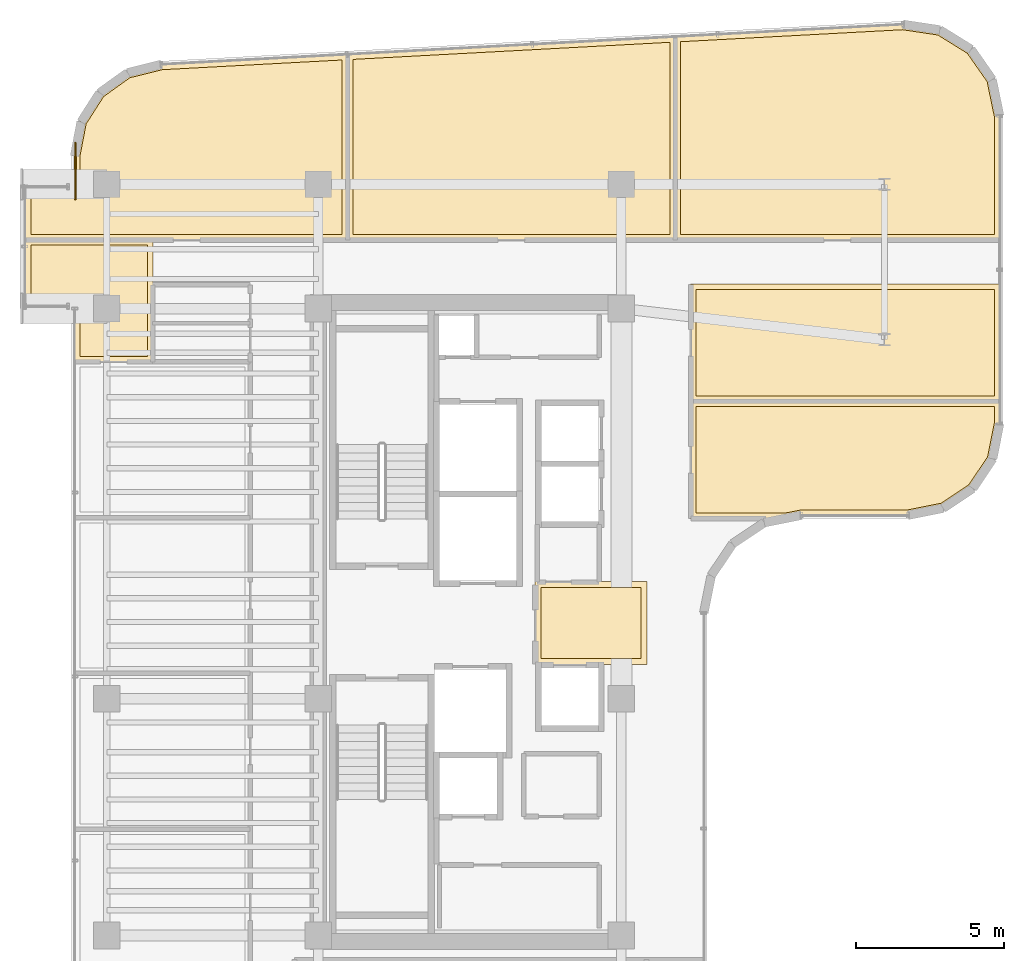
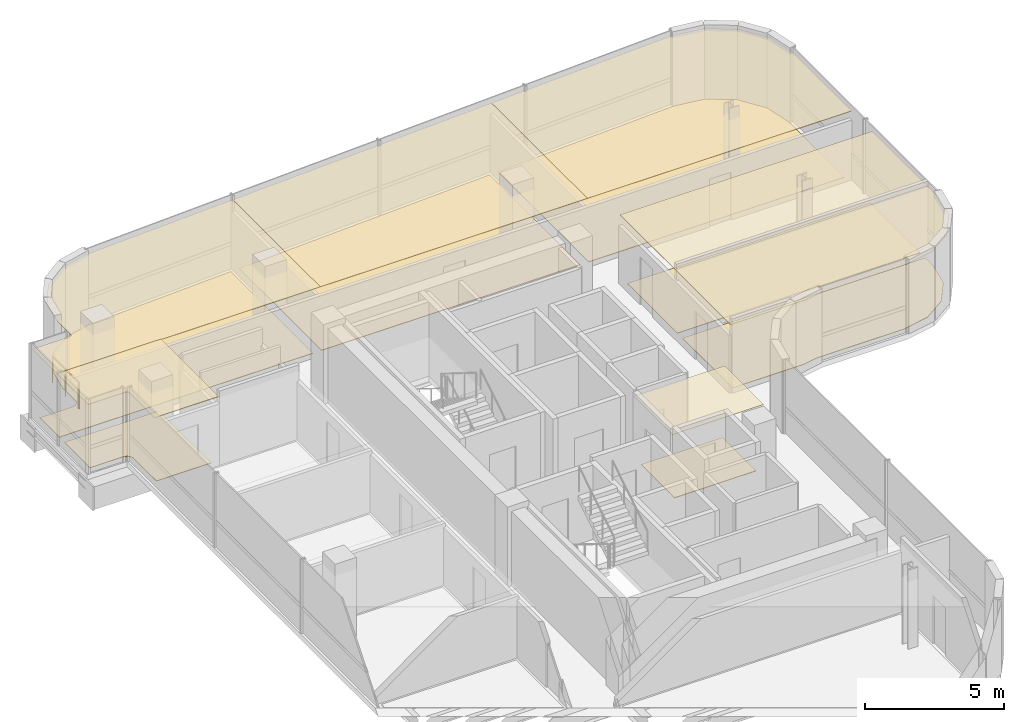
# One storey, part 21 of 21: 14 coverings, 1 railing.
"""IFC4 building model written with IfcOpenShell, lengths in metres."""

from ifc_helpers import new_model, si_unit, direction, frame, origin, origin_2d, place, context, subcontext, project, spatial, polyline, circle, outline, extrude, material, layer, layer_set, type_object, element, save


model = new_model("IFC4")

# Units and contexts
model_context = context("Model", 3, precision=1e-05, world=origin(), true_north=direction((0.0, 1.0)))
body_context = subcontext(model_context, "Body", "Model", "MODEL_VIEW")
ifc_project = project(units=[si_unit("LENGTHUNIT", "METRE"), si_unit("AREAUNIT", "SQUARE_METRE"), si_unit("VOLUMEUNIT", "CUBIC_METRE"), si_unit("PLANEANGLEUNIT", "RADIAN"), si_unit("MASSUNIT", "GRAM", prefix="KILO")], contexts=[model_context])

# Site, building, storey
site_placement = place(None, origin())
site = spatial("IfcSite", under=ifc_project, at=site_placement, CompositionType="ELEMENT")
building_placement = place(site_placement, origin())
building = spatial("IfcBuilding", under=site, at=building_placement, Name="Valdorenza Pilgrim Sanctuary Tower", CompositionType="ELEMENT")
storey_placement = place(building_placement, frame((0.0, 0.0, 219.5)))
storey = spatial("IfcBuildingStorey", under=building, at=storey_placement, Name="L56", CompositionType="ELEMENT", Elevation=219.5)

# Coverings
ifc_material_1 = material(Name="Micro-perforated acoustic mineral ceiling tile", Category="gypsum")
ifc_layer_1 = layer(ifc_material_1, 0.02490234375, Name="Micro-perforated acoustic mineral ceiling tile")
ifc_layer_set_1 = layer_set([ifc_layer_1], Name="Micro-perforated acoustic mineral ceiling tile")
covering_type_1 = type_object("IfcCoveringType", Name="COV-CLG-ACU", PredefinedType="CEILING", material=ifc_layer_set_1)
covering_1_placement = place(storey_placement, frame((0.0, 0.0, 2.9599609375)))
element("IfcCovering", 1, at=covering_1_placement, inside=storey, type_object=covering_type_1, Name="L56 Core A Passenger Lift Lobby Acoustic Ceiling", PredefinedType="CEILING", context=body_context, shape_type="SweptSolid", body=[
    extrude(outline(polyline([(-15.31494140625, 1.35009765625), (-15.31494140625, 1.3515625), (-15.314697265625, 1.352783203125), (-15.314453125, 1.3544921875), (-15.31396484375, 1.355712890625), (-15.313232421875, 1.357177734375), (-15.3125, 1.3583984375), (-15.3115234375, 1.359619140625), (-15.310546875, 1.360595703125), (-15.3095703125, 1.361572265625), (-15.308349609375, 1.362548828125), (-15.30712890625, 1.36328125), (-15.3056640625, 1.364013671875), (-15.304443359375, 1.364501953125), (-15.302978515625, 1.36474609375), (-15.301513671875, 1.364990234375), (-15.300048828125, 1.364990234375), (-11.550048828125, 1.364990234375), (-11.548583984375, 1.364990234375), (-11.547119140625, 1.36474609375), (-11.545654296875, 1.364501953125), (-11.544189453125, 1.364013671875), (-11.54296875, 1.36328125), (-11.541748046875, 1.362548828125), (-11.54052734375, 1.361572265625), (-11.539306640625, 1.360595703125), (-11.538330078125, 1.359619140625), (-11.53759765625, 1.3583984375), (-11.536865234375, 1.357177734375), (-11.5361328125, 1.355712890625), (-11.53564453125, 1.3544921875), (-11.535400390625, 1.352783203125), (-11.53515625, 1.3515625), (-11.534912109375, 1.35009765625), (-11.534912109375, -1.419921875), (-11.53515625, -1.42138671875), (-11.535400390625, -1.4228515625), (-11.53564453125, -1.42431640625), (-11.5361328125, -1.42578125), (-11.536865234375, -1.427001953125), (-11.53759765625, -1.42822265625), (-11.538330078125, -1.429443359375), (-11.539306640625, -1.4306640625), (-11.54052734375, -1.431640625), (-11.541748046875, -1.4326171875), (-11.54296875, -1.43310546875), (-11.544189453125, -1.433837890625), (-11.545654296875, -1.434326171875), (-11.547119140625, -1.434814453125), (-11.548583984375, -1.434814453125), (-11.550048828125, -1.43505859375), (-15.298095703125, -1.43505859375), (-15.299560546875, -1.434814453125), (-15.30078125, -1.434814453125), (-15.302490234375, -1.434326171875), (-15.3037109375, -1.433837890625), (-15.30517578125, -1.43310546875), (-15.306396484375, -1.4326171875), (-15.3076171875, -1.431640625), (-15.30859375, -1.4306640625), (-15.3095703125, -1.429443359375), (-15.310546875, -1.42822265625), (-15.311279296875, -1.427001953125), (-15.31201171875, -1.42578125), (-15.3125, -1.42431640625), (-15.312744140625, -1.4228515625), (-15.31298828125, -1.42138671875), (-15.31298828125, -1.419921875), (-15.31298828125, 1.244384765625), (-15.31298828125, 1.24462890625), (-15.313720703125, 1.24609375), (-15.314208984375, 1.24755859375), (-15.314697265625, 1.2490234375), (-15.31494140625, 1.25048828125), (-15.31494140625, 1.251953125), (-15.31494140625, 1.35009765625)])), origin(), (0.0, 0.0, 1.0), 0.025146484375),
])
covering_2_placement = place(storey_placement, frame((0.0, 0.0, 2.9599609375)))
element("IfcCovering", 2, at=covering_2_placement, inside=storey, type_object=covering_type_1, Name="L56 Pilgrim Scholar Office L56-WN Acoustic Ceiling", PredefinedType="CEILING", context=body_context, shape_type="SweptSolid", body=[
    extrude(outline(polyline([(-28.237060546875, 11.39453125), (-28.237060546875, 10.103759765625), (-28.23681640625, 10.10302734375), (-28.23681640625, 10.1015625), (-28.23681640625, 10.10009765625), (-28.23681640625, 10.098388671875), (-28.237060546875, 10.09814453125), (-28.237060546875, 8.800048828125), (-28.237060546875, 8.798583984375), (-28.2373046875, 8.797119140625), (-28.237548828125, 8.795654296875), (-28.238037109375, 8.794189453125), (-28.23876953125, 8.79296875), (-28.239501953125, 8.791748046875), (-28.240478515625, 8.79052734375), (-28.241455078125, 8.789306640625), (-28.242431640625, 8.788330078125), (-28.24365234375, 8.78759765625), (-28.244873046875, 8.786865234375), (-28.246337890625, 8.7861328125), (-28.24755859375, 8.78564453125), (-28.2490234375, 8.785400390625), (-28.25048828125, 8.78515625), (-28.251953125, 8.784912109375), (-30.889892578125, 8.784912109375), (-30.8916015625, 8.78515625), (-30.892822265625, 8.785400390625), (-30.894287109375, 8.78564453125), (-30.895751953125, 8.7861328125), (-30.897216796875, 8.786865234375), (-30.898193359375, 8.78759765625), (-30.8994140625, 8.788330078125), (-30.900634765625, 8.789306640625), (-30.901611328125, 8.79052734375), (-30.902587890625, 8.791748046875), (-30.9033203125, 8.79296875), (-30.90380859375, 8.794189453125), (-30.904296875, 8.795654296875), (-30.90478515625, 8.797119140625), (-30.90478515625, 8.798583984375), (-30.905029296875, 8.800048828125), (-30.905029296875, 10.599609375), (-30.905517578125, 10.609375), (-30.90673828125, 10.618408203125), (-30.9091796875, 10.627685546875), (-30.912109375, 10.63623046875), (-30.916259765625, 10.644775390625), (-30.9208984375, 10.65283203125), (-30.926513671875, 10.660400390625), (-30.932861328125, 10.667236328125), (-30.939697265625, 10.67333984375), (-30.947265625, 10.678955078125), (-30.955078125, 10.683837890625), (-30.963623046875, 10.687744140625), (-30.972412109375, 10.69091796875), (-30.9814453125, 10.693115234375), (-30.99072265625, 10.694580078125), (-31.00048828125, 10.695068359375), (-32.5400390625, 10.695068359375), (-32.54150390625, 10.695068359375), (-32.54296875, 10.6953125), (-32.54443359375, 10.695556640625), (-32.545654296875, 10.696044921875), (-32.547119140625, 10.69677734375), (-32.54833984375, 10.697509765625), (-32.549560546875, 10.698486328125), (-32.550537109375, 10.699462890625), (-32.551513671875, 10.700439453125), (-32.552490234375, 10.70166015625), (-32.55322265625, 10.702880859375), (-32.553955078125, 10.704345703125), (-32.554443359375, 10.70556640625), (-32.5546875, 10.70703125), (-32.554931640625, 10.70849609375), (-32.554931640625, 10.7099609375), (-32.554931640625, 12.919921875), (-32.554931640625, 12.92138671875), (-32.5546875, 12.9228515625), (-32.554443359375, 12.92431640625), (-32.553955078125, 12.92578125), (-32.55322265625, 12.927001953125), (-32.552490234375, 12.92822265625), (-32.551513671875, 12.929443359375), (-32.550537109375, 12.9306640625), (-32.549560546875, 12.931640625), (-32.54833984375, 12.9326171875), (-32.547119140625, 12.93310546875), (-32.545654296875, 12.933837890625), (-32.54443359375, 12.934326171875), (-32.54296875, 12.934814453125), (-32.54150390625, 12.934814453125), (-32.5400390625, 12.93505859375), (-28.25, 12.93505859375), (-28.24853515625, 12.934814453125), (-28.2470703125, 12.934814453125), (-28.24560546875, 12.934326171875), (-28.244384765625, 12.933837890625), (-28.242919921875, 12.93310546875), (-28.24169921875, 12.9326171875), (-28.240478515625, 12.931640625), (-28.239501953125, 12.9306640625), (-28.23828125, 12.929443359375), (-28.237548828125, 12.92822265625), (-28.23681640625, 12.927001953125), (-28.236083984375, 12.92578125), (-28.235595703125, 12.92431640625), (-28.2353515625, 12.9228515625), (-28.235107421875, 12.92138671875), (-28.235107421875, 12.919921875), (-28.235107421875, 11.402099609375), (-28.235107421875, 11.400390625), (-28.2353515625, 11.39892578125), (-28.235595703125, 11.3974609375), (-28.236083984375, 11.39599609375), (-28.23681640625, 11.394775390625), (-28.237060546875, 11.39453125)])), origin(), (0.0, 0.0, 1.0), 0.025146484375),
])
covering_3_placement = place(storey_placement, frame((0.0, 0.0, 2.9599609375)))
element("IfcCovering", 3, at=covering_3_placement, inside=storey, type_object=covering_type_1, Name="L56 Sanctuary Administration Office L56-N1 Acoustic Ceiling", PredefinedType="CEILING", context=body_context, shape_type="SweptSolid", body=[
    extrude(outline(polyline([(-28.25537109375, 12.906982421875), (-32.5400390625, 12.906982421875), (-32.54150390625, 12.906982421875), (-32.54296875, 12.9072265625), (-32.54443359375, 12.90771484375), (-32.545654296875, 12.908203125), (-32.547119140625, 12.90869140625), (-32.54833984375, 12.909423828125), (-32.549560546875, 12.910400390625), (-32.550537109375, 12.911376953125), (-32.551513671875, 12.91259765625), (-32.552490234375, 12.913818359375), (-32.55322265625, 12.914794921875), (-32.553955078125, 12.916259765625), (-32.554443359375, 12.91748046875), (-32.5546875, 12.919189453125), (-32.554931640625, 12.92041015625), (-32.554931640625, 12.922119140625), (-32.554931640625, 14.68994140625), (-32.554931640625, 14.69140625), (-32.5546875, 14.69287109375), (-32.554443359375, 14.6943359375), (-32.553955078125, 14.69580078125), (-32.55322265625, 14.697021484375), (-32.552490234375, 14.6982421875), (-32.551513671875, 14.699462890625), (-32.550537109375, 14.70068359375), (-32.549560546875, 14.70166015625), (-32.54833984375, 14.702392578125), (-32.547119140625, 14.703125), (-32.545654296875, 14.703857421875), (-32.54443359375, 14.704345703125), (-32.54296875, 14.70458984375), (-32.54150390625, 14.704833984375), (-32.5400390625, 14.705078125), (-31.00048828125, 14.705078125), (-30.99072265625, 14.70556640625), (-30.9814453125, 14.706787109375), (-30.972412109375, 14.708984375), (-30.963623046875, 14.712158203125), (-30.955078125, 14.71630859375), (-30.947265625, 14.720947265625), (-30.939697265625, 14.7265625), (-30.932861328125, 14.73291015625), (-30.926513671875, 14.73974609375), (-30.9208984375, 14.747314453125), (-30.916259765625, 14.755126953125), (-30.912109375, 14.763671875), (-30.9091796875, 14.7724609375), (-30.90673828125, 14.781494140625), (-30.905517578125, 14.790771484375), (-30.905029296875, 14.80029296875), (-30.905029296875, 15.757568359375), (-30.90478515625, 15.759033203125), (-30.90478515625, 15.760498046875), (-30.683349609375, 16.9140625), (-30.68310546875, 16.915283203125), (-30.6826171875, 16.916748046875), (-30.681884765625, 16.918212890625), (-30.681396484375, 16.919189453125), (-30.05419921875, 17.89990234375), (-30.053466796875, 17.901123046875), (-30.052490234375, 17.90234375), (-30.051513671875, 17.9033203125), (-30.05029296875, 17.904052734375), (-29.104736328125, 18.5830078125), (-29.103515625, 18.583740234375), (-29.102294921875, 18.58447265625), (-29.10107421875, 18.5849609375), (-29.099609375, 18.58544921875), (-27.959716796875, 18.86865234375), (-27.958251953125, 18.868896484375), (-27.956787109375, 18.869140625), (-21.660888671875, 19.208984375), (-21.659423828125, 19.208984375), (-21.657958984375, 19.208740234375), (-21.656494140625, 19.20849609375), (-21.6552734375, 19.2080078125), (-21.65380859375, 19.20751953125), (-21.652587890625, 19.206787109375), (-21.6513671875, 19.206298828125), (-21.650146484375, 19.205322265625), (-21.649169921875, 19.204345703125), (-21.648193359375, 19.203125), (-21.6474609375, 19.201904296875), (-21.646728515625, 19.20068359375), (-21.64599609375, 19.199462890625), (-21.6455078125, 19.1982421875), (-21.645263671875, 19.19677734375), (-21.64501953125, 19.1953125), (-21.64501953125, 19.19384765625), (-21.64501953125, 12.919921875), (-21.64501953125, 12.91845703125), (-21.645263671875, 12.9169921875), (-21.6455078125, 12.91552734375), (-21.64599609375, 12.914306640625), (-21.646728515625, 12.912841796875), (-21.6474609375, 12.91162109375), (-21.6484375, 12.910400390625), (-21.6494140625, 12.909423828125), (-21.650390625, 12.908447265625), (-21.651611328125, 12.907470703125), (-21.65283203125, 12.90673828125), (-21.654296875, 12.906005859375), (-21.655517578125, 12.905517578125), (-21.656982421875, 12.9052734375), (-21.658447265625, 12.905029296875), (-21.659912109375, 12.905029296875), (-28.248046875, 12.905029296875), (-28.24951171875, 12.905029296875), (-28.250732421875, 12.9052734375), (-28.252197265625, 12.905517578125), (-28.253662109375, 12.906005859375), (-28.2548828125, 12.90673828125), (-28.25537109375, 12.906982421875)])), origin(), (0.0, 0.0, 1.0), 0.025146484375),
])
covering_4_placement = place(storey_placement, frame((0.0, 0.0, 2.9599609375)))
element("IfcCovering", 4, at=covering_4_placement, inside=storey, type_object=covering_type_1, Name="L56 Sanctuary Administration Office L56-N2 Acoustic Ceiling", PredefinedType="CEILING", context=body_context, shape_type="SweptSolid", body=[
    extrude(outline(polyline([(-21.673095703125, 19.19384765625), (-21.673095703125, 19.19482421875), (-21.6728515625, 19.1962890625), (-21.672607421875, 19.19775390625), (-21.672119140625, 19.19921875), (-21.671630859375, 19.200439453125), (-21.6708984375, 19.20166015625), (-21.670166015625, 19.202880859375), (-21.669189453125, 19.2041015625), (-21.668212890625, 19.205078125), (-21.6669921875, 19.2060546875), (-21.665771484375, 19.206787109375), (-21.66455078125, 19.20751953125), (-21.6630859375, 19.2080078125), (-21.66162109375, 19.20849609375), (-21.660400390625, 19.208740234375), (-21.65869140625, 19.208984375), (-10.580810546875, 19.806884765625), (-10.579345703125, 19.806884765625), (-10.577880859375, 19.806640625), (-10.576416015625, 19.806396484375), (-10.5751953125, 19.80615234375), (-10.57373046875, 19.805419921875), (-10.572509765625, 19.804931640625), (-10.5712890625, 19.80419921875), (-10.5703125, 19.80322265625), (-10.569091796875, 19.80224609375), (-10.568115234375, 19.80126953125), (-10.5673828125, 19.800048828125), (-10.566650390625, 19.798828125), (-10.566162109375, 19.797607421875), (-10.565673828125, 19.796142578125), (-10.565185546875, 19.794677734375), (-10.565185546875, 19.793212890625), (-10.56494140625, 19.7919921875), (-10.56494140625, 12.919921875), (-10.565185546875, 12.91845703125), (-10.565185546875, 12.9169921875), (-10.565673828125, 12.91552734375), (-10.566162109375, 12.914306640625), (-10.56689453125, 12.912841796875), (-10.5673828125, 12.91162109375), (-10.568359375, 12.910400390625), (-10.5693359375, 12.909423828125), (-10.570556640625, 12.908447265625), (-10.57177734375, 12.907470703125), (-10.572998046875, 12.90673828125), (-10.57421875, 12.906005859375), (-10.57568359375, 12.905517578125), (-10.5771484375, 12.9052734375), (-10.57861328125, 12.905029296875), (-10.580078125, 12.905029296875), (-21.657958984375, 12.905029296875), (-21.659423828125, 12.905029296875), (-21.660888671875, 12.9052734375), (-21.662353515625, 12.905517578125), (-21.663818359375, 12.906005859375), (-21.6650390625, 12.90673828125), (-21.666259765625, 12.907470703125), (-21.66748046875, 12.908447265625), (-21.668701171875, 12.909423828125), (-21.669677734375, 12.910400390625), (-21.67041015625, 12.91162109375), (-21.671142578125, 12.912841796875), (-21.671875, 12.914306640625), (-21.67236328125, 12.91552734375), (-21.672607421875, 12.9169921875), (-21.6728515625, 12.91845703125), (-21.673095703125, 12.919921875), (-21.673095703125, 19.19384765625), (-21.673095703125, 19.19384765625)])), origin(), (0.0, 0.0, 1.0), 0.025146484375),
])
covering_5_placement = place(storey_placement, frame((0.0, 0.0, 2.9599609375)))
element("IfcCovering", 5, at=covering_5_placement, inside=storey, type_object=covering_type_1, Name="L56 Sanctuary Administration Office L56-N3 Acoustic Ceiling", PredefinedType="CEILING", context=body_context, shape_type="SweptSolid", body=[
    extrude(outline(polyline([(-10.593017578125, 19.7919921875), (-10.593017578125, 19.792724609375), (-10.5927734375, 19.794189453125), (-10.592529296875, 19.795654296875), (-10.592041015625, 19.797119140625), (-10.591552734375, 19.79833984375), (-10.5908203125, 19.7998046875), (-10.590087890625, 19.80078125), (-10.589111328125, 19.802001953125), (-10.588134765625, 19.802978515625), (-10.5869140625, 19.803955078125), (-10.585693359375, 19.8046875), (-10.58447265625, 19.805419921875), (-10.5830078125, 19.80615234375), (-10.581787109375, 19.806396484375), (-10.580322265625, 19.806884765625), (-10.578857421875, 19.806884765625), (-2.87841796875, 20.222412109375), (-2.876953125, 20.222412109375), (-2.87548828125, 20.222412109375), (-1.63232421875, 20.035400390625), (-1.630859375, 20.03515625), (-1.62939453125, 20.034912109375), (-1.628173828125, 20.0341796875), (-1.626708984375, 20.033447265625), (-0.568359375, 19.376708984375), (-0.567138671875, 19.3759765625), (-0.56591796875, 19.375), (-0.56494140625, 19.373779296875), (-0.56396484375, 19.372802734375), (0.148681640625, 18.351318359375), (0.1494140625, 18.349853515625), (0.150146484375, 18.3486328125), (0.150634765625, 18.34716796875), (0.151123046875, 18.345703125), (0.40478515625, 17.114501953125), (0.40478515625, 17.11279296875), (0.405029296875, 17.111328125), (0.405029296875, 12.919921875), (0.40478515625, 12.91845703125), (0.40478515625, 12.9169921875), (0.404296875, 12.91552734375), (0.40380859375, 12.914306640625), (0.4033203125, 12.912841796875), (0.402587890625, 12.91162109375), (0.401611328125, 12.910400390625), (0.400634765625, 12.909423828125), (0.3994140625, 12.908447265625), (0.398193359375, 12.907470703125), (0.397216796875, 12.90673828125), (0.395751953125, 12.906005859375), (0.394287109375, 12.905517578125), (0.392822265625, 12.9052734375), (0.3916015625, 12.905029296875), (0.389892578125, 12.905029296875), (-10.577880859375, 12.905029296875), (-10.57958984375, 12.905029296875), (-10.580810546875, 12.9052734375), (-10.58251953125, 12.905517578125), (-10.583740234375, 12.906005859375), (-10.585205078125, 12.90673828125), (-10.586181640625, 12.907470703125), (-10.58740234375, 12.908447265625), (-10.588623046875, 12.909423828125), (-10.589599609375, 12.910400390625), (-10.590576171875, 12.91162109375), (-10.59130859375, 12.912841796875), (-10.591796875, 12.914306640625), (-10.59228515625, 12.91552734375), (-10.5927734375, 12.9169921875), (-10.593017578125, 12.91845703125), (-10.593017578125, 12.919921875), (-10.593017578125, 19.7919921875), (-10.593017578125, 19.7919921875)])), origin(), (0.0, 0.0, 1.0), 0.025146484375),
])
covering_6_placement = place(storey_placement, frame((0.0, 0.0, 2.9599609375)))
element("IfcCovering", 6, at=covering_6_placement, inside=storey, type_object=covering_type_1, Name="L56 Pilgrim Scholar Office L56-E1 Acoustic Ceiling", PredefinedType="CEILING", context=body_context, shape_type="SweptSolid", body=[
    extrude(outline(polyline([(-10.06494140625, 7.4599609375), (-10.06494140625, 7.46142578125), (-10.064697265625, 7.462890625), (-10.064453125, 7.46435546875), (-10.06396484375, 7.4658203125), (-10.063232421875, 7.467041015625), (-10.0625, 7.46826171875), (-10.0615234375, 7.469482421875), (-10.060546875, 7.470703125), (-10.0595703125, 7.4716796875), (-10.058349609375, 7.472412109375), (-10.05712890625, 7.47314453125), (-10.0556640625, 7.473876953125), (-10.054443359375, 7.474365234375), (-10.052978515625, 7.474609375), (-10.051513671875, 7.474853515625), (-10.050048828125, 7.47509765625), (0.389892578125, 7.47509765625), (0.3916015625, 7.474853515625), (0.392822265625, 7.474609375), (0.394287109375, 7.474365234375), (0.395751953125, 7.473876953125), (0.397216796875, 7.47314453125), (0.398193359375, 7.472412109375), (0.3994140625, 7.4716796875), (0.400634765625, 7.470703125), (0.401611328125, 7.469482421875), (0.402587890625, 7.46826171875), (0.4033203125, 7.467041015625), (0.40380859375, 7.4658203125), (0.404296875, 7.46435546875), (0.40478515625, 7.462890625), (0.40478515625, 7.46142578125), (0.405029296875, 7.4599609375), (0.405029296875, 6.710693359375), (0.40478515625, 6.70947265625), (0.40478515625, 6.7080078125), (0.16748046875, 5.515380859375), (0.1669921875, 5.513916015625), (0.16650390625, 5.5126953125), (0.166015625, 5.51123046875), (0.165283203125, 5.510009765625), (-0.504150390625, 4.50830078125), (-0.5048828125, 4.507080078125), (-0.506103515625, 4.506103515625), (-0.507080078125, 4.5048828125), (-0.50830078125, 4.504150390625), (-1.510009765625, 3.834716796875), (-1.51123046875, 3.833984375), (-1.5126953125, 3.83349609375), (-1.513916015625, 3.8330078125), (-1.515380859375, 3.83251953125), (-2.7080078125, 3.59521484375), (-2.70947265625, 3.59521484375), (-2.710693359375, 3.594970703125), (-6.299560546875, 3.594970703125), (-6.309326171875, 3.594482421875), (-6.31884765625, 3.593017578125), (-6.86083984375, 3.4853515625), (-6.8623046875, 3.485107421875), (-6.86376953125, 3.485107421875), (-10.050048828125, 3.485107421875), (-10.051513671875, 3.485107421875), (-10.052978515625, 3.4853515625), (-10.054443359375, 3.485595703125), (-10.0556640625, 3.486083984375), (-10.05712890625, 3.48681640625), (-10.058349609375, 3.487548828125), (-10.0595703125, 3.48828125), (-10.060546875, 3.489501953125), (-10.0615234375, 3.490478515625), (-10.0625, 3.49169921875), (-10.063232421875, 3.492919921875), (-10.06396484375, 3.494384765625), (-10.064453125, 3.49560546875), (-10.064697265625, 3.4970703125), (-10.06494140625, 3.49853515625), (-10.06494140625, 3.5), (-10.06494140625, 7.4599609375)])), origin(), (0.0, 0.0, 1.0), 0.025146484375),
])
covering_7_placement = place(storey_placement, frame((0.0, 0.0, 2.9599609375)))
element("IfcCovering", 7, at=covering_7_placement, inside=storey, type_object=covering_type_1, Name="L56 Pilgrim Scholar Office L56-E2 Acoustic Ceiling", PredefinedType="CEILING", context=body_context, shape_type="SweptSolid", body=[
    extrude(outline(polyline([(-10.06494140625, 11.419921875), (-10.06494140625, 11.42138671875), (-10.064697265625, 11.4228515625), (-10.064453125, 11.42431640625), (-10.06396484375, 11.42578125), (-10.063232421875, 11.427001953125), (-10.0625, 11.42822265625), (-10.0615234375, 11.429443359375), (-10.060546875, 11.4306640625), (-10.0595703125, 11.431640625), (-10.058349609375, 11.4326171875), (-10.05712890625, 11.43310546875), (-10.0556640625, 11.433837890625), (-10.054443359375, 11.434326171875), (-10.052978515625, 11.434814453125), (-10.051513671875, 11.434814453125), (-10.050048828125, 11.43505859375), (0.389892578125, 11.43505859375), (0.3916015625, 11.434814453125), (0.392822265625, 11.434814453125), (0.394287109375, 11.434326171875), (0.395751953125, 11.433837890625), (0.397216796875, 11.43310546875), (0.398193359375, 11.4326171875), (0.3994140625, 11.431640625), (0.400634765625, 11.4306640625), (0.401611328125, 11.429443359375), (0.402587890625, 11.42822265625), (0.4033203125, 11.427001953125), (0.40380859375, 11.42578125), (0.404296875, 11.42431640625), (0.40478515625, 11.4228515625), (0.40478515625, 11.42138671875), (0.405029296875, 11.419921875), (0.405029296875, 7.4619140625), (0.40478515625, 7.46044921875), (0.40478515625, 7.458984375), (0.404296875, 7.45751953125), (0.40380859375, 7.456298828125), (0.4033203125, 7.454833984375), (0.402587890625, 7.45361328125), (0.401611328125, 7.452392578125), (0.400634765625, 7.451416015625), (0.3994140625, 7.450439453125), (0.398193359375, 7.449462890625), (0.397216796875, 7.44873046875), (0.395751953125, 7.447998046875), (0.394287109375, 7.447509765625), (0.392822265625, 7.447265625), (0.3916015625, 7.447021484375), (0.389892578125, 7.447021484375), (-10.050048828125, 7.447021484375), (-10.051513671875, 7.447021484375), (-10.052978515625, 7.447265625), (-10.054443359375, 7.447509765625), (-10.0556640625, 7.447998046875), (-10.05712890625, 7.44873046875), (-10.058349609375, 7.449462890625), (-10.0595703125, 7.450439453125), (-10.060546875, 7.451416015625), (-10.0615234375, 7.452392578125), (-10.0625, 7.45361328125), (-10.063232421875, 7.454833984375), (-10.06396484375, 7.456298828125), (-10.064453125, 7.45751953125), (-10.064697265625, 7.458984375), (-10.06494140625, 7.46044921875), (-10.06494140625, 7.4619140625), (-10.06494140625, 11.419921875)])), origin(), (0.0, 0.0, 1.0), 0.025146484375),
])
ifc_material_2 = material(Name="Honed travertine stone flooring", Category="masonry")
ifc_layer_2 = layer(ifc_material_2, 0.030029296875, Name="Honed travertine stone flooring")
ifc_layer_set_2 = layer_set([ifc_layer_2], Name="Honed travertine stone flooring")
covering_type_2 = type_object("IfcCoveringType", Name="COV-FLR-TRV", PredefinedType="FLOORING", material=ifc_layer_set_2)
covering_8_placement = place(storey_placement, origin())
element("IfcCovering", 8, at=covering_8_placement, inside=storey, type_object=covering_type_2, Name="L56 Core A Passenger Lift Lobby Flooring", PredefinedType="FLOORING", context=body_context, shape_type="SweptSolid", body=[
    extrude(outline(polyline([(-15.117919921875, 1.169921875), (-11.72998046875, 1.169921875), (-11.72998046875, -1.239990234375), (-15.117919921875, -1.239990234375), (-15.117919921875, 1.169921875)])), origin(), (0.0, 0.0, 1.0), 0.02490234375),
])
covering_9_placement = place(storey_placement, origin())
element("IfcCovering", 9, at=covering_9_placement, inside=storey, type_object=covering_type_2, Name="L56 Pilgrim Scholar Office L56-WN Flooring", PredefinedType="FLOORING", context=body_context, shape_type="SweptSolid", body=[
    extrude(outline(polyline([(-28.431884765625, 10.100341796875), (-28.431884765625, 10.10009765625), (-28.431884765625, 8.97998046875), (-30.7099609375, 8.97998046875), (-30.7099609375, 10.60009765625), (-30.710205078125, 10.60888671875), (-30.710693359375, 10.61962890625), (-30.71240234375, 10.63720703125), (-30.714111328125, 10.64794921875), (-30.717529296875, 10.665283203125), (-30.72021484375, 10.67578125), (-30.725341796875, 10.692626953125), (-30.72900390625, 10.70263671875), (-30.735595703125, 10.718994140625), (-30.740234375, 10.728759765625), (-30.74853515625, 10.744384765625), (-30.754150390625, 10.753662109375), (-30.763916015625, 10.768310546875), (-30.7705078125, 10.777099609375), (-30.781494140625, 10.790771484375), (-30.788818359375, 10.798583984375), (-30.80126953125, 10.811279296875), (-30.809326171875, 10.818359375), (-30.822998046875, 10.82958984375), (-30.831787109375, 10.8359375), (-30.84619140625, 10.845947265625), (-30.855712890625, 10.851318359375), (-30.87109375, 10.859619140625), (-30.880859375, 10.8642578125), (-30.897216796875, 10.87109375), (-30.907470703125, 10.874755859375), (-30.92431640625, 10.8798828125), (-30.934814453125, 10.882568359375), (-30.9521484375, 10.885986328125), (-30.962890625, 10.887451171875), (-30.98046875, 10.889404296875), (-30.9912109375, 10.889892578125), (-31.0, 10.889892578125), (-32.360107421875, 10.889892578125), (-32.360107421875, 12.739990234375), (-28.429931640625, 12.739990234375), (-28.429931640625, 11.427001953125), (-28.429931640625, 11.4267578125), (-28.429931640625, 11.426513671875), (-28.431884765625, 11.408935546875), (-28.431884765625, 11.40869140625), (-28.431884765625, 11.39990234375), (-28.431884765625, 10.10205078125), (-28.431884765625, 10.10107421875), (-28.431884765625, 10.100341796875)])), origin(), (0.0, 0.0, 1.0), 0.02490234375),
])
covering_10_placement = place(storey_placement, origin())
element("IfcCovering", 10, at=covering_10_placement, inside=storey, type_object=covering_type_2, Name="L56 Sanctuary Administration Office L56-N1 Flooring", PredefinedType="FLOORING", context=body_context, shape_type="SweptSolid", body=[
    extrude(outline(polyline([(-28.22314453125, 13.10009765625), (-28.22314453125, 13.10009765625), (-28.223388671875, 13.10009765625), (-28.240966796875, 13.101806640625), (-28.2412109375, 13.101806640625), (-28.25, 13.10205078125), (-32.360107421875, 13.10205078125), (-32.360107421875, 14.510009765625), (-31.0, 14.510009765625), (-30.9912109375, 14.51025390625), (-30.98046875, 14.5107421875), (-30.962890625, 14.512451171875), (-30.9521484375, 14.51416015625), (-30.934814453125, 14.517578125), (-30.92431640625, 14.52001953125), (-30.907470703125, 14.525390625), (-30.897216796875, 14.52880859375), (-30.880859375, 14.53564453125), (-30.87109375, 14.540283203125), (-30.855712890625, 14.548583984375), (-30.84619140625, 14.55419921875), (-30.831787109375, 14.56396484375), (-30.822998046875, 14.5703125), (-30.809326171875, 14.58154296875), (-30.80126953125, 14.5888671875), (-30.788818359375, 14.601318359375), (-30.781494140625, 14.609375), (-30.7705078125, 14.623046875), (-30.763916015625, 14.631591796875), (-30.754150390625, 14.646240234375), (-30.74853515625, 14.655517578125), (-30.740234375, 14.671142578125), (-30.735595703125, 14.680908203125), (-30.72900390625, 14.697265625), (-30.725341796875, 14.70751953125), (-30.72021484375, 14.724365234375), (-30.717529296875, 14.73486328125), (-30.714111328125, 14.752197265625), (-30.71240234375, 14.7626953125), (-30.710693359375, 14.780517578125), (-30.710205078125, 14.791259765625), (-30.7099609375, 14.800048828125), (-30.7099609375, 15.740478515625), (-30.498291015625, 16.843505859375), (-29.90869140625, 17.765869140625), (-29.019287109375, 18.404541015625), (-27.92919921875, 18.67529296875), (-21.840087890625, 19.00390625), (-21.840087890625, 13.10009765625), (-28.22314453125, 13.10009765625)])), origin(), (0.0, 0.0, 1.0), 0.02490234375),
])
covering_11_placement = place(storey_placement, origin())
element("IfcCovering", 11, at=covering_11_placement, inside=storey, type_object=covering_type_2, Name="L56 Sanctuary Administration Office L56-N2 Flooring", PredefinedType="FLOORING", context=body_context, shape_type="SweptSolid", body=[
    extrude(outline(polyline([(-21.47802734375, 13.10009765625), (-21.47802734375, 19.0234375), (-10.760009765625, 19.601806640625), (-10.760009765625, 13.10009765625), (-21.47802734375, 13.10009765625)])), origin(), (0.0, 0.0, 1.0), 0.02490234375),
])
covering_12_placement = place(storey_placement, origin())
element("IfcCovering", 12, at=covering_12_placement, inside=storey, type_object=covering_type_2, Name="L56 Sanctuary Administration Office L56-N3 Flooring", PredefinedType="FLOORING", context=body_context, shape_type="SweptSolid", body=[
    extrude(outline(polyline([(-2.88623046875, 20.02685546875), (-1.697998046875, 19.84814453125), (-0.70263671875, 19.230712890625), (-0.032470703125, 18.27001953125), (0.2099609375, 17.093017578125), (0.2099609375, 13.10009765625), (-10.39794921875, 13.10009765625), (-10.39794921875, 19.621337890625), (-2.88623046875, 20.02685546875)])), origin(), (0.0, 0.0, 1.0), 0.02490234375),
])
covering_13_placement = place(storey_placement, origin())
element("IfcCovering", 13, at=covering_13_placement, inside=storey, type_object=covering_type_2, Name="L56 Pilgrim Scholar Office L56-E1 Flooring", PredefinedType="FLOORING", context=body_context, shape_type="SweptSolid", body=[
    extrude(outline(polyline([(-9.8701171875, 7.280029296875), (0.2099609375, 7.280029296875), (0.2099609375, 6.728515625), (-0.016845703125, 5.588623046875), (-0.646484375, 4.646484375), (-1.588623046875, 4.016845703125), (-2.728515625, 3.7900390625), (-6.300048828125, 3.7900390625), (-6.308837890625, 3.789794921875), (-6.319580078125, 3.789306640625), (-6.337158203125, 3.78759765625), (-6.347900390625, 3.785888671875), (-6.356689453125, 3.784423828125), (-6.881591796875, 3.679931640625), (-9.8701171875, 3.679931640625), (-9.8701171875, 7.280029296875)])), origin(), (0.0, 0.0, 1.0), 0.02490234375),
])
covering_14_placement = place(storey_placement, origin())
element("IfcCovering", 14, at=covering_14_placement, inside=storey, type_object=covering_type_2, Name="L56 Pilgrim Scholar Office L56-E2 Flooring", PredefinedType="FLOORING", context=body_context, shape_type="SweptSolid", body=[
    extrude(outline(polyline([(-9.8701171875, 11.239990234375), (0.2099609375, 11.239990234375), (0.2099609375, 7.64208984375), (-9.8701171875, 7.64208984375), (-9.8701171875, 11.239990234375)])), origin(), (0.0, 0.0, 1.0), 0.02490234375),
])

# Railing
ifc_material_3 = material(Name="Stainless steel Grade 316", Category="steel")
railing_type = type_object("IfcRailingType", Name="RLG-GRD-1120", PredefinedType="GUARDRAIL", material=ifc_material_3)
railing_placement = place(storey_placement, frame((-30.860107421875, 14.300048828125, 0.0)))
element("IfcRailing", 15, at=railing_placement, inside=storey, type_object=railing_type, Name="L56 NW Tangent Safety Sill Guard", PredefinedType="GUARDRAIL", context=body_context, shape_type="SweptSolid", body=[
    extrude(circle(Radius=0.02392578125, at=origin_2d()), frame((0.0, 0.0, 1.17578125), z_axis=(0.0, 1.0, 0.0), x_axis=(-1.0, 0.0, 0.0)), (0.0, 0.0, 1.0), 1.89990234375),
    extrude(circle(Radius=0.02099609375, at=origin_2d()), origin(), (0.0, 0.0, 1.0), 1.15185546875),
    extrude(circle(Radius=0.02099609375, at=origin_2d()), frame((0.0, 0.949951171875, 0.0)), (0.0, 0.0, 1.0), 1.15185546875),
    extrude(circle(Radius=0.02099609375, at=origin_2d()), frame((0.0, 1.89990234375, 0.0)), (0.0, 0.0, 1.0), 1.15185546875),
])

save(model, "model.ifc")
